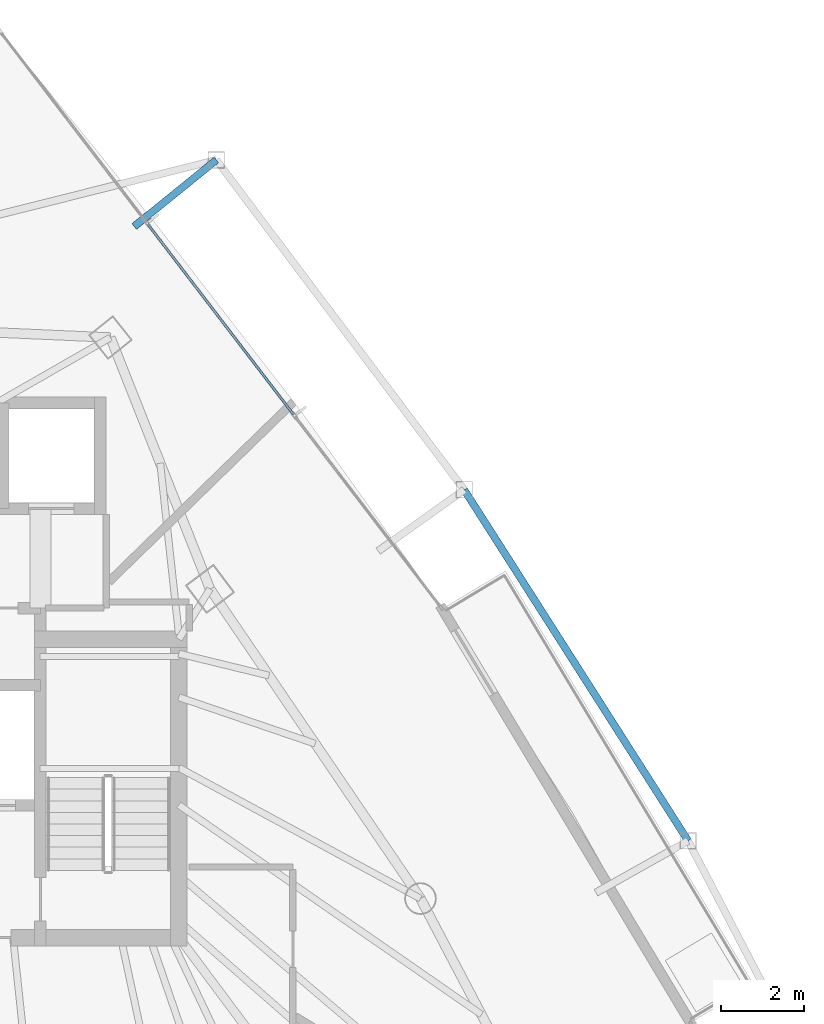
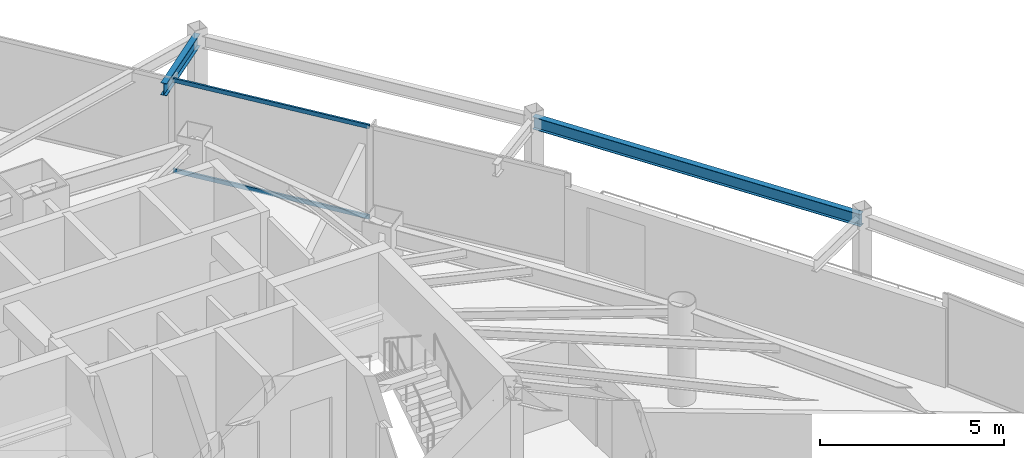
# One storey, part 23 of 31: 2 beams, 2 members, 1 element without a shape of its own.
"""IFC4 building model written with IfcOpenShell, lengths in metres."""

from ifc_helpers import new_model, si_unit, direction, frame, origin, origin_2d, place, context, subcontext, project, spatial, hollow_rectangle, i_section, extrude, material, layer, layer_set, material_profile, profile_set, type_object, element, aggregate, save


model = new_model("IFC4")

# Units and contexts
model_context = context("Model", 3, precision=1e-05, world=origin(), true_north=direction((0.0, 1.0)))
body_context = subcontext(model_context, "Body", "Model", "MODEL_VIEW")
ifc_project = project(units=[si_unit("LENGTHUNIT", "METRE"), si_unit("AREAUNIT", "SQUARE_METRE"), si_unit("VOLUMEUNIT", "CUBIC_METRE"), si_unit("PLANEANGLEUNIT", "RADIAN"), si_unit("MASSUNIT", "GRAM", prefix="KILO")], contexts=[model_context])

# Site, building, storey
site_placement = place(None, origin())
site = spatial("IfcSite", under=ifc_project, at=site_placement, CompositionType="ELEMENT")
building_placement = place(site_placement, origin())
building = spatial("IfcBuilding", under=site, at=building_placement, Name="Orvanel Arch Residences", CompositionType="ELEMENT")
storey_placement = place(building_placement, frame((0.0, 0.0, 106.699951171875)))
storey = spatial("IfcBuildingStorey", under=building, at=storey_placement, Name="L29", CompositionType="ELEMENT", Elevation=106.699951171875)

# Beams
ifc_material_1 = material(Name="Structural steel AS/NZS 3679.1 Grade 300 (300 MPa)", Category="steel")
ifc_material_profile_1 = material_profile(ifc_material_1, i_section(OverallWidth=0.177978515625, OverallDepth=0.406005859375, WebThickness=0.0078125, FlangeThickness=0.0126953125, at=origin_2d()), Name="410UB59.7")
ifc_profile_set_1 = profile_set([ifc_material_profile_1], Name="Structural steel AS/NZS 3679.1 Grade 300 (300 MPa)")
beam_type = type_object("IfcBeamType", Name="OB-410UB-EXT", PredefinedType="SPANDREL", material=ifc_profile_set_1)
beam_1_placement = place(storey_placement, frame((51.888916015625, 29.032958984375, 2.85693359375), z_axis=(-0.537697483728, 0.843137839261, 0.0), x_axis=(-0.843137839261, -0.537697483728, 0.0)))
element("IfcBeam", 1, at=beam_1_placement, inside=storey, type_object=beam_type, Name="L29 Outer Perimeter Floor Ring Beam 10", PredefinedType="SPANDREL", context=body_context, shape_type="SweptSolid", body=[
    extrude(i_section(OverallWidth=0.177978515625, OverallDepth=0.406005859375, WebThickness=0.0078125, FlangeThickness=0.0126953125, at=origin_2d()), origin(), (0.0, 0.0, 1.0), 10.048095703125),
])
beam_2_placement = place(storey_placement, frame((38.52294921875, 43.85693359375, 2.85693359375), z_axis=(0.777137851451, 0.629330405942, 0.0), x_axis=(-0.629330405942, 0.777137851451, 0.0)))
element("IfcBeam", 2, at=beam_2_placement, inside=storey, type_object=beam_type, Name="L29 Outer Frame Radial Tie Beam 12", PredefinedType="SPANDREL", context=body_context, shape_type="SweptSolid", body=[
    extrude(i_section(OverallWidth=0.177978515625, OverallDepth=0.406005859375, WebThickness=0.0078125, FlangeThickness=0.0126953125, at=origin_2d()), origin(), (0.0, 0.0, 1.0), 2.55029296875),
])

# Curtain wall, members
ifc_material_2 = material(Name="Bronze-anodised aluminium AA6063-T6", Category="aluminium")
ifc_layer = layer(ifc_material_2, 0.179931640625)
ifc_layer_set = layer_set([ifc_layer], Name="Bronze-anodised aluminium AA6063-T6")
curtain_wall_type = type_object("IfcCurtainWallType", Name="CW3-MID-SYS", PredefinedType="NOTDEFINED", material=ifc_layer_set)
curtain_wall_placement = place(storey_placement, origin())
curtain_wall = element("IfcCurtainWall", 3, at=curtain_wall_placement, inside=storey, type_object=curtain_wall_type, Name="L29 CW3-MID-SYS Unitised Curtain Wall", PredefinedType="NOTDEFINED")
ifc_material_profile_2 = material_profile(ifc_material_2, hollow_rectangle(XDim=0.06005859375, YDim=0.135009765625, WallThickness=0.00390625, at=origin_2d()), Name="ALU135x60x4")
ifc_profile_set_2 = profile_set([ifc_material_profile_2], Name="Bronze-anodised aluminium AA6063-T6")
member_type = type_object("IfcMemberType", Name="TRN-135x60", PredefinedType="USERDEFINED", material=ifc_profile_set_2)
member_1_placement = place(storey_placement, frame((42.36669921875, 39.321044921875, 0.030029296875), z_axis=(-0.607893853719, 0.794018301181, 0.0), x_axis=(-0.794018301181, -0.607893853719, 0.0)))
member_1 = element("IfcMember", 4, at=member_1_placement, type_object=member_type, Name="CW-S3 transom 2.1", ObjectType="TRANSOM", PredefinedType="USERDEFINED", context=body_context, shape_type="SweptSolid", body=[
    extrude(hollow_rectangle(XDim=0.06005859375, YDim=0.135009765625, WallThickness=0.00390625, at=origin_2d()), origin(), (0.0, 0.0, 1.0), 5.778076171875),
])
member_2_placement = place(storey_placement, frame((42.36669921875, 39.321044921875, 3.030029296875), z_axis=(-0.607893853719, 0.794018301181, 0.0), x_axis=(-0.794018301181, -0.607893853719, 0.0)))
member_2 = element("IfcMember", 5, at=member_2_placement, type_object=member_type, Name="CW-S3 transom 2.2", ObjectType="TRANSOM", PredefinedType="USERDEFINED", context=body_context, shape_type="SweptSolid", body=[
    extrude(hollow_rectangle(XDim=0.06005859375, YDim=0.135009765625, WallThickness=0.00390625, at=origin_2d()), origin(), (0.0, 0.0, 1.0), 5.778076171875),
])
aggregate(curtain_wall, [member_1, member_2])

save(model, "model.ifc")
